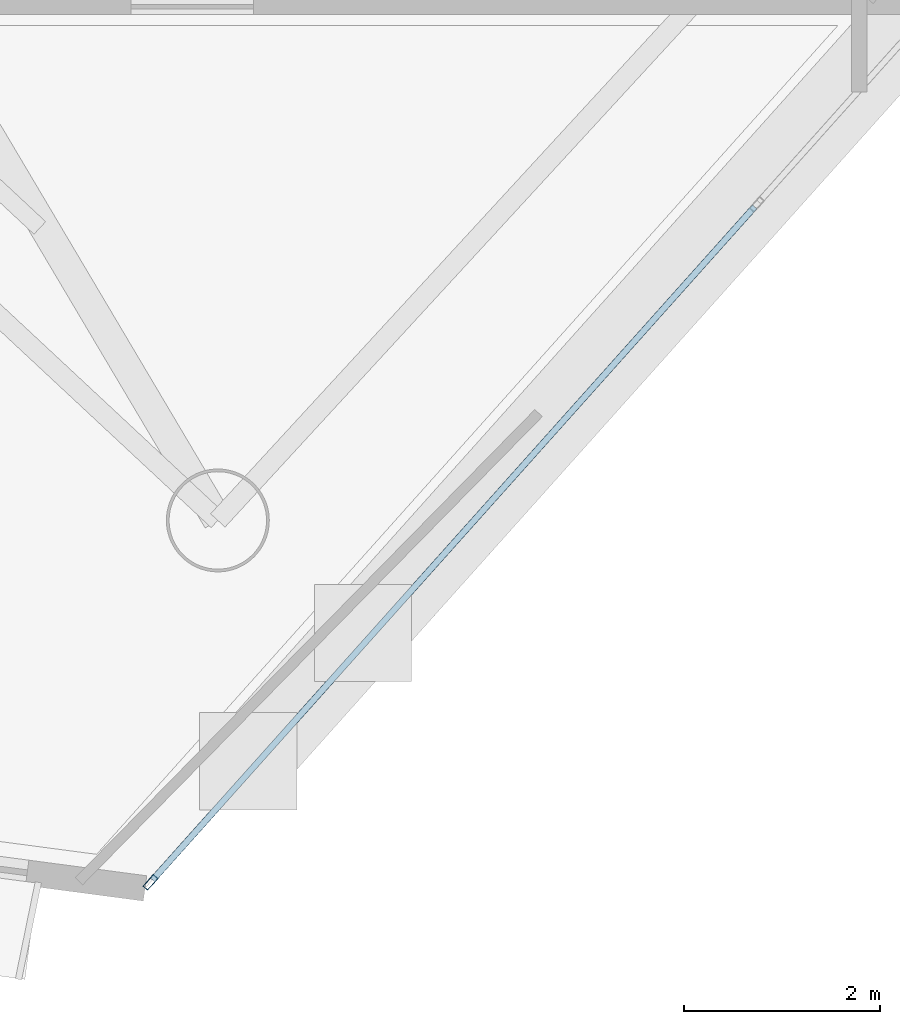
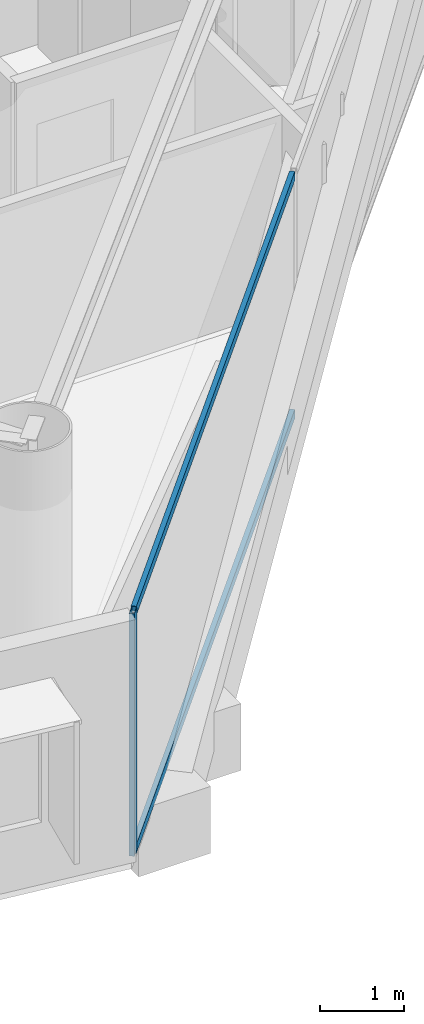
# One storey, part 4 of 21: 3 members, 1 element without a shape of its own.
"""IFC4 building model written with IfcOpenShell, lengths in metres."""

from ifc_helpers import new_model, si_unit, direction, frame, origin, origin_2d, place, context, subcontext, project, spatial, hollow_rectangle, extrude, material, layer, layer_set, material_profile, profile_set, type_object, element, aggregate, save


model = new_model("IFC4")

# Units and contexts
model_context = context("Model", 3, precision=1e-05, world=origin(), true_north=direction((0.0, 1.0)))
body_context = subcontext(model_context, "Body", "Model", "MODEL_VIEW")
ifc_project = project(units=[si_unit("LENGTHUNIT", "METRE"), si_unit("AREAUNIT", "SQUARE_METRE"), si_unit("VOLUMEUNIT", "CUBIC_METRE"), si_unit("PLANEANGLEUNIT", "RADIAN"), si_unit("MASSUNIT", "GRAM", prefix="KILO")], contexts=[model_context])

# Site, building, storey
site_placement = place(None, origin())
site = spatial("IfcSite", under=ifc_project, at=site_placement, CompositionType="ELEMENT")
building_placement = place(site_placement, origin())
building = spatial("IfcBuilding", under=site, at=building_placement, Name="Qianvela Tower", CompositionType="ELEMENT")
storey_placement = place(building_placement, frame((0.0, 0.0, 250.10009765625)))
storey = spatial("IfcBuildingStorey", under=building, at=storey_placement, Name="L64", CompositionType="ELEMENT", Elevation=250.10009765625)

# Curtain wall, members
ifc_material_1 = material(Name="Anodised Architectural Aluminium and Insulated Spandrel Panel", Category="aluminium")
ifc_layer = layer(ifc_material_1, 0.179931640625)
ifc_layer_set = layer_set([ifc_layer], Name="Anodised Architectural Aluminium and Insulated Spandrel Panel")
curtain_wall_type = type_object("IfcCurtainWallType", Name="CW-BRACEBAY", PredefinedType="USERDEFINED", material=ifc_layer_set)
curtain_wall_placement = place(storey_placement, origin())
curtain_wall = element("IfcCurtainWall", 1, at=curtain_wall_placement, inside=storey, type_object=curtain_wall_type, Name="L64 CW-BRACEBAY Curtain Wall 06A", ObjectType="CURTAIN_WALL_SYSTEM", PredefinedType="USERDEFINED")
ifc_material_2 = material(Name="Anodised Architectural Aluminium 6063-T6", Category="aluminium")
ifc_material_profile_1 = material_profile(ifc_material_2, hollow_rectangle(XDim=0.06494140625, YDim=0.159912109375, WallThickness=0.0048828125, at=origin_2d()), Name="ALU-MULL-65x160")
ifc_profile_set_1 = profile_set([ifc_material_profile_1], Name="Anodised Architectural Aluminium 6063-T6")
member_type_1 = type_object("IfcMemberType", Name="CW-BRACEBAY-MULL", PredefinedType="MULLION", material=ifc_profile_set_1)
member_1_placement = place(storey_placement, frame((35.681396484375, 7.050048828125, 0.0), z_axis=(0.0, 0.0, 1.0), x_axis=(-0.74539425645, 0.666623883799, 0.0)))
member_1 = element("IfcMember", 2, at=member_1_placement, type_object=member_type_1, Name="CW-9 mullion 1", PredefinedType="MULLION", context=body_context, shape_type="SweptSolid", body=[
    extrude(hollow_rectangle(XDim=0.06494140625, YDim=0.159912109375, WallThickness=0.0048828125, at=origin_2d()), origin(), (0.0, 0.0, 1.0), 3.52001953125),
])
ifc_material_3 = material(Name="Anodised Architectural Aluminium 6063-T6", Category="aluminium")
ifc_material_profile_2 = material_profile(ifc_material_3, hollow_rectangle(XDim=0.06494140625, YDim=0.1298828125, WallThickness=0.00439453125, at=origin_2d()), Name="ALU-TRAN-65x130")
ifc_profile_set_2 = profile_set([ifc_material_profile_2], Name="Anodised Architectural Aluminium 6063-T6")
member_type_2 = type_object("IfcMemberType", Name="CW-BRACEBAY-TRAN", PredefinedType="USERDEFINED", material=ifc_profile_set_2)
member_2_placement = place(storey_placement, frame((35.703125, 7.07421875, 0.032470703125), z_axis=(0.6666143455, 0.745402786669, 0.0), x_axis=(-0.745402786669, 0.6666143455, 0.0)))
member_2 = element("IfcMember", 3, at=member_2_placement, type_object=member_type_2, Name="CW-9 transom 1.1", ObjectType="TRANSOM", PredefinedType="USERDEFINED", context=body_context, shape_type="SweptSolid", body=[
    extrude(hollow_rectangle(XDim=0.06494140625, YDim=0.1298828125, WallThickness=0.00439453125, at=origin_2d()), origin(), (0.0, 0.0, 1.0), 9.21240234375),
])
member_3_placement = place(storey_placement, frame((35.703125, 7.07421875, 3.4873046875), z_axis=(0.6666143455, 0.745402786669, 0.0), x_axis=(-0.745402786669, 0.6666143455, 0.0)))
member_3 = element("IfcMember", 4, at=member_3_placement, type_object=member_type_2, Name="CW-9 transom 1.2", ObjectType="TRANSOM", PredefinedType="USERDEFINED", context=body_context, shape_type="SweptSolid", body=[
    extrude(hollow_rectangle(XDim=0.06494140625, YDim=0.1298828125, WallThickness=0.00439453125, at=origin_2d()), origin(), (0.0, 0.0, 1.0), 9.21240234375),
])
aggregate(curtain_wall, [member_1, member_2, member_3])

save(model, "model.ifc")
